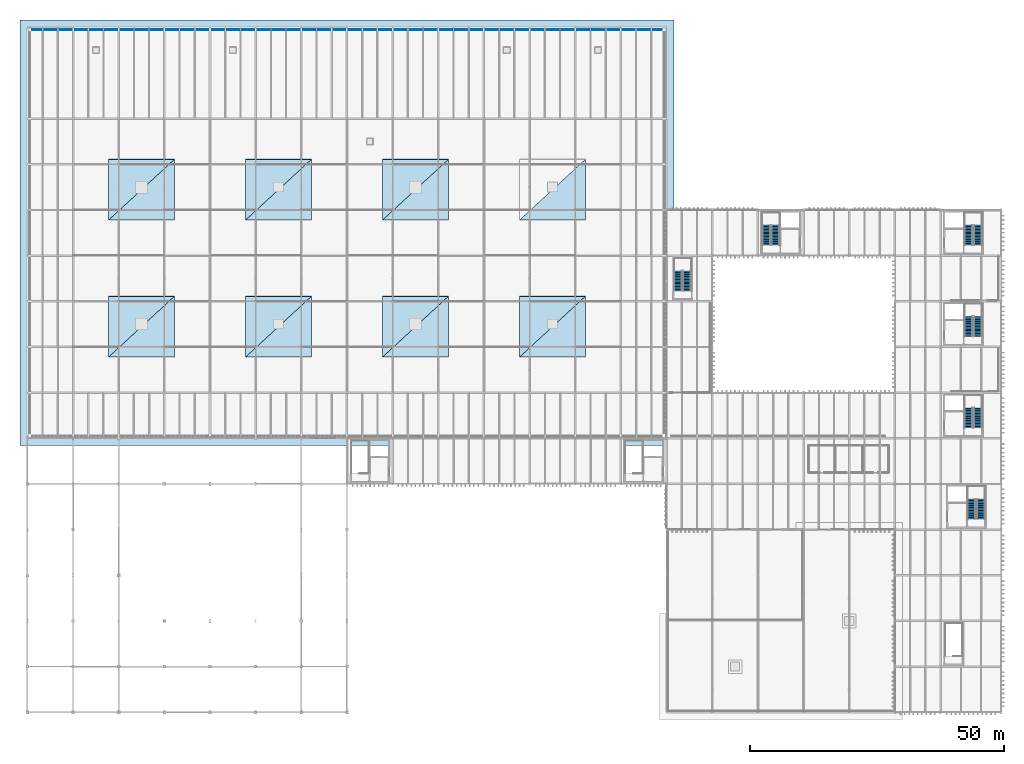
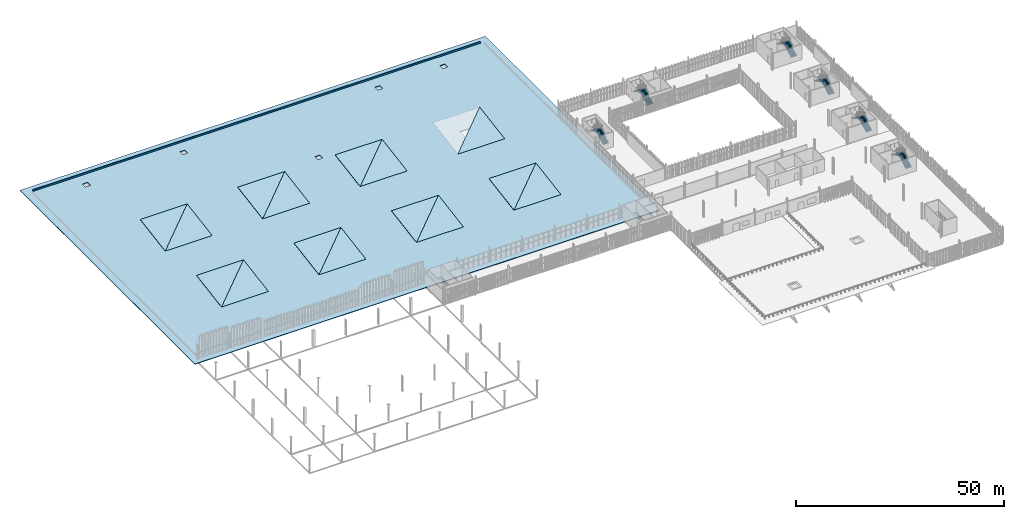
# One storey, part 183 of 196: 16 roofs, 12 stair flights, 1 wall, 6 elements without a shape of their own.
"""IFC4 building model written with IfcOpenShell, lengths in metres."""

from ifc_helpers import new_model, si_unit, direction, frame, frame_2d, origin, place, context, subcontext, project, spatial, polyline, rectangle, outline, extrude, material, layer, layer_set, type_object, element, aggregate, save


model = new_model("IFC4")

# Units and contexts
model_context = context("Model", 3, precision=1e-05, world=origin(), true_north=direction((0.0, 1.0)))
body_context = subcontext(model_context, "Body", "Model", "MODEL_VIEW")
ifc_project = project(units=[si_unit("LENGTHUNIT", "METRE"), si_unit("AREAUNIT", "SQUARE_METRE"), si_unit("VOLUMEUNIT", "CUBIC_METRE"), si_unit("PLANEANGLEUNIT", "RADIAN"), si_unit("MASSUNIT", "GRAM", prefix="KILO")], contexts=[model_context])

# Site, building, storey
site_placement = place(None, origin())
site = spatial("IfcSite", under=ifc_project, at=site_placement, CompositionType="ELEMENT")
building_placement = place(site_placement, origin())
building = spatial("IfcBuilding", under=site, at=building_placement, Name="Barlavento Convention Centre", CompositionType="ELEMENT")
storey_placement = place(building_placement, frame((0.0, 0.0, 18.0)))
storey = spatial("IfcBuildingStorey", under=building, at=storey_placement, Name="L03", CompositionType="ELEMENT", Elevation=18.0)

# Wall
ifc_material_1 = material(Name="Precast concrete C40/50 roof curb", Category="concrete")
ifc_layer_1 = layer(ifc_material_1, 0.195068359375)
ifc_layer_set_1 = layer_set([ifc_layer_1], Name="ARC-WL-PAR-195")
wall_type = type_object("IfcWallType", Name="ARC-WL-PAR-195", PredefinedType="PARAPET", material=ifc_layer_set_1)
wall_placement = place(storey_placement, frame((125.0, 134.550048828125, 0.090087890625), z_axis=(0.0, 0.0, 1.0), x_axis=(-1.0, 0.0, 0.0)))
element("IfcWall", 1, at=wall_placement, inside=storey, type_object=wall_type, Name="L03 exterior wall PW02", PredefinedType="PARAPET", context=body_context, shape_type="SweptSolid", body=[
    extrude(rectangle(XDim=124.0, YDim=0.195068359375, at=frame_2d((62.0, 0.0))), origin(), (0.0, 0.0, 1.0), 0.489990234375),
])

# Stair, stair flights
ifc_material_2 = material(Name="Concrete C40/50", Category="concrete")
stair_type_1 = type_object("IfcStairType", Name="ARC-STR-DOG-1600", PredefinedType="HALF_TURN_STAIR", material=ifc_material_2)
stair_1_placement = place(storey_placement, origin())
stair_1 = element("IfcStair", 2, at=stair_1_placement, inside=storey, type_object=stair_type_1, Name="L03 ST12", PredefinedType="HALF_TURN_STAIR")
stair_flight_type_1 = type_object("IfcStairFlightType", Name="ARC-FLT-STR-1600", PredefinedType="STRAIGHT", material=ifc_material_2)
stair_flight_1_placement = place(storey_placement, frame((130.050048828125, 83.070068359375, 0.0), z_axis=(0.0, 0.0, 1.0), x_axis=(0.0, 1.0, 0.0)))
stair_flight_1 = element("IfcStairFlight", 3, at=stair_flight_1_placement, type_object=stair_flight_type_1, Name="ST12 flight 1", NumberOfRisers=15, NumberOfTreads=14, PredefinedType="STRAIGHT", RiserHeight=0.16, TreadLength=0.28, context=body_context, shape_type="SweptSolid", body=[
    extrude(outline(polyline([(0.0, 0.0), (0.0, 0.159912109375), (0.280029296875, 0.159912109375), (0.280029296875, 0.320068359375), (0.56005859375, 0.320068359375), (0.56005859375, 0.47998046875), (0.840087890625, 0.47998046875), (0.840087890625, 0.639892578125), (1.1201171875, 0.639892578125), (1.1201171875, 0.800048828125), (1.39990234375, 0.800048828125), (1.39990234375, 0.9599609375), (1.679931640625, 0.9599609375), (1.679931640625, 1.1201171875), (1.9599609375, 1.1201171875), (1.9599609375, 1.280029296875), (2.239990234375, 1.280029296875), (2.239990234375, 1.43994140625), (2.52001953125, 1.43994140625), (2.52001953125, 1.60009765625), (2.800048828125, 1.60009765625), (2.800048828125, 1.760009765625), (3.080078125, 1.760009765625), (3.080078125, 1.919921875), (3.360107421875, 1.919921875), (3.360107421875, 2.080078125), (3.639892578125, 2.080078125), (3.639892578125, 2.239990234375), (3.919921875, 2.239990234375), (3.919921875, 2.39990234375), (3.919921875, 2.0673828125), (0.30224609375, 0.0), (0.0, 0.0)])), frame((0.0, 0.800048828125, 0.0), z_axis=(0.0, -1.0, 0.0), x_axis=(1.0, 0.0, 0.0)), (0.0, 0.0, 1.0), 1.60009765625),
])
stair_flight_2_placement = place(storey_placement, frame((128.25, 86.989990234375, 2.39990234375), z_axis=(0.0, 0.0, 1.0), x_axis=(0.0, -1.0, 0.0)))
stair_flight_2 = element("IfcStairFlight", 4, at=stair_flight_2_placement, type_object=stair_flight_type_1, Name="ST12 flight 2", NumberOfRisers=15, NumberOfTreads=14, PredefinedType="STRAIGHT", RiserHeight=0.16, TreadLength=0.28, context=body_context, shape_type="SweptSolid", body=[
    extrude(outline(polyline([(0.0, 0.0), (0.0, 0.159912109375), (0.280029296875, 0.159912109375), (0.280029296875, 0.320068359375), (0.56005859375, 0.320068359375), (0.56005859375, 0.47998046875), (0.840087890625, 0.47998046875), (0.840087890625, 0.639892578125), (1.1201171875, 0.639892578125), (1.1201171875, 0.800048828125), (1.39990234375, 0.800048828125), (1.39990234375, 0.9599609375), (1.679931640625, 0.9599609375), (1.679931640625, 1.1201171875), (1.9599609375, 1.1201171875), (1.9599609375, 1.280029296875), (2.239990234375, 1.280029296875), (2.239990234375, 1.43994140625), (2.52001953125, 1.43994140625), (2.52001953125, 1.60009765625), (2.800048828125, 1.60009765625), (2.800048828125, 1.760009765625), (3.080078125, 1.760009765625), (3.080078125, 1.919921875), (3.360107421875, 1.919921875), (3.360107421875, 2.080078125), (3.639892578125, 2.080078125), (3.639892578125, 2.239990234375), (3.919921875, 2.239990234375), (3.919921875, 2.39990234375), (3.919921875, 2.0673828125), (0.30224609375, 0.0), (0.0, 0.0)])), frame((0.0, 0.800048828125, 0.0), z_axis=(0.0, -1.0, 0.0), x_axis=(1.0, 0.0, 0.0)), (0.0, 0.0, 1.0), 1.60009765625),
])
aggregate(stair_1, [stair_flight_1, stair_flight_2])

stair_type_2 = type_object("IfcStairType", Name="ARC-STR-DOG-1620", PredefinedType="HALF_TURN_STAIR", material=ifc_material_2)
stair_2_placement = place(storey_placement, origin())
stair_2 = element("IfcStair", 5, at=stair_2_placement, inside=storey, type_object=stair_type_2, Name="L03 ST05", PredefinedType="HALF_TURN_STAIR")
stair_flight_type_2 = type_object("IfcStairFlightType", Name="ARC-FLT-STR-1620", PredefinedType="STRAIGHT", material=ifc_material_2)
stair_flight_3_placement = place(storey_placement, frame((187.340087890625, 56.090087890625, 0.0), z_axis=(0.0, 0.0, 1.0), x_axis=(0.0, 1.0, 0.0)))
stair_flight_3 = element("IfcStairFlight", 6, at=stair_flight_3_placement, type_object=stair_flight_type_2, Name="ST05 flight 1", NumberOfRisers=15, NumberOfTreads=14, PredefinedType="STRAIGHT", RiserHeight=0.16, TreadLength=0.28, context=body_context, shape_type="SweptSolid", body=[
    extrude(outline(polyline([(0.0, 0.0), (0.0, 0.159912109375), (0.280029296875, 0.159912109375), (0.280029296875, 0.320068359375), (0.56005859375, 0.320068359375), (0.56005859375, 0.47998046875), (0.840087890625, 0.47998046875), (0.840087890625, 0.639892578125), (1.1201171875, 0.639892578125), (1.1201171875, 0.800048828125), (1.39990234375, 0.800048828125), (1.39990234375, 0.9599609375), (1.679931640625, 0.9599609375), (1.679931640625, 1.1201171875), (1.9599609375, 1.1201171875), (1.9599609375, 1.280029296875), (2.239990234375, 1.280029296875), (2.239990234375, 1.43994140625), (2.52001953125, 1.43994140625), (2.52001953125, 1.60009765625), (2.800048828125, 1.60009765625), (2.800048828125, 1.760009765625), (3.080078125, 1.760009765625), (3.080078125, 1.919921875), (3.360107421875, 1.919921875), (3.360107421875, 2.080078125), (3.639892578125, 2.080078125), (3.639892578125, 2.239990234375), (3.919921875, 2.239990234375), (3.919921875, 2.39990234375), (3.919921875, 2.0673828125), (0.30224609375, 0.0), (0.0, 0.0)])), frame((0.0, 0.81005859375, 0.0), z_axis=(0.0, -1.0, 0.0), x_axis=(1.0, 0.0, 0.0)), (0.0, 0.0, 1.0), 1.6201171875),
])
stair_flight_4_placement = place(storey_placement, frame((185.52001953125, 60.010009765625, 2.39990234375), z_axis=(0.0, 0.0, 1.0), x_axis=(0.0, -1.0, 0.0)))
stair_flight_4 = element("IfcStairFlight", 7, at=stair_flight_4_placement, type_object=stair_flight_type_2, Name="ST05 flight 2", NumberOfRisers=15, NumberOfTreads=14, PredefinedType="STRAIGHT", RiserHeight=0.16, TreadLength=0.28, context=body_context, shape_type="SweptSolid", body=[
    extrude(outline(polyline([(0.0, 0.0), (0.0, 0.159912109375), (0.280029296875, 0.159912109375), (0.280029296875, 0.320068359375), (0.56005859375, 0.320068359375), (0.56005859375, 0.47998046875), (0.840087890625, 0.47998046875), (0.840087890625, 0.639892578125), (1.1201171875, 0.639892578125), (1.1201171875, 0.800048828125), (1.39990234375, 0.800048828125), (1.39990234375, 0.9599609375), (1.679931640625, 0.9599609375), (1.679931640625, 1.1201171875), (1.9599609375, 1.1201171875), (1.9599609375, 1.280029296875), (2.239990234375, 1.280029296875), (2.239990234375, 1.43994140625), (2.52001953125, 1.43994140625), (2.52001953125, 1.60009765625), (2.800048828125, 1.60009765625), (2.800048828125, 1.760009765625), (3.080078125, 1.760009765625), (3.080078125, 1.919921875), (3.360107421875, 1.919921875), (3.360107421875, 2.080078125), (3.639892578125, 2.080078125), (3.639892578125, 2.239990234375), (3.919921875, 2.239990234375), (3.919921875, 2.39990234375), (3.919921875, 2.0673828125), (0.30224609375, 0.0), (0.0, 0.0)])), frame((0.0, 0.81005859375, 0.0), z_axis=(0.0, -1.0, 0.0), x_axis=(1.0, 0.0, 0.0)), (0.0, 0.0, 1.0), 1.6201171875),
])
aggregate(stair_2, [stair_flight_3, stair_flight_4])

stair_3_placement = place(storey_placement, origin())
stair_3 = element("IfcStair", 8, at=stair_3_placement, inside=storey, type_object=stair_type_2, Name="L03 ST06", PredefinedType="HALF_TURN_STAIR")
stair_flight_5_placement = place(storey_placement, frame((187.93994140625, 38.090087890625, 0.0), z_axis=(0.0, 0.0, 1.0), x_axis=(0.0, 1.0, 0.0)))
stair_flight_5 = element("IfcStairFlight", 9, at=stair_flight_5_placement, type_object=stair_flight_type_2, Name="ST06 flight 1", NumberOfRisers=15, NumberOfTreads=14, PredefinedType="STRAIGHT", RiserHeight=0.16, TreadLength=0.28, context=body_context, shape_type="SweptSolid", body=[
    extrude(outline(polyline([(0.0, 0.0), (0.0, 0.159912109375), (0.280029296875, 0.159912109375), (0.280029296875, 0.320068359375), (0.56005859375, 0.320068359375), (0.56005859375, 0.47998046875), (0.840087890625, 0.47998046875), (0.840087890625, 0.639892578125), (1.1201171875, 0.639892578125), (1.1201171875, 0.800048828125), (1.39990234375, 0.800048828125), (1.39990234375, 0.9599609375), (1.679931640625, 0.9599609375), (1.679931640625, 1.1201171875), (1.9599609375, 1.1201171875), (1.9599609375, 1.280029296875), (2.239990234375, 1.280029296875), (2.239990234375, 1.43994140625), (2.52001953125, 1.43994140625), (2.52001953125, 1.60009765625), (2.800048828125, 1.60009765625), (2.800048828125, 1.760009765625), (3.080078125, 1.760009765625), (3.080078125, 1.919921875), (3.360107421875, 1.919921875), (3.360107421875, 2.080078125), (3.639892578125, 2.080078125), (3.639892578125, 2.239990234375), (3.919921875, 2.239990234375), (3.919921875, 2.39990234375), (3.919921875, 2.0673828125), (0.30224609375, 0.0), (0.0, 0.0)])), frame((0.0, 0.81005859375, 0.0), z_axis=(0.0, -1.0, 0.0), x_axis=(1.0, 0.0, 0.0)), (0.0, 0.0, 1.0), 1.6201171875),
])
stair_flight_6_placement = place(storey_placement, frame((186.1201171875, 42.010009765625, 2.39990234375), z_axis=(0.0, 0.0, 1.0), x_axis=(0.0, -1.0, 0.0)))
stair_flight_6 = element("IfcStairFlight", 10, at=stair_flight_6_placement, type_object=stair_flight_type_2, Name="ST06 flight 2", NumberOfRisers=15, NumberOfTreads=14, PredefinedType="STRAIGHT", RiserHeight=0.16, TreadLength=0.28, context=body_context, shape_type="SweptSolid", body=[
    extrude(outline(polyline([(0.0, 0.0), (0.0, 0.159912109375), (0.280029296875, 0.159912109375), (0.280029296875, 0.320068359375), (0.56005859375, 0.320068359375), (0.56005859375, 0.47998046875), (0.840087890625, 0.47998046875), (0.840087890625, 0.639892578125), (1.1201171875, 0.639892578125), (1.1201171875, 0.800048828125), (1.39990234375, 0.800048828125), (1.39990234375, 0.9599609375), (1.679931640625, 0.9599609375), (1.679931640625, 1.1201171875), (1.9599609375, 1.1201171875), (1.9599609375, 1.280029296875), (2.239990234375, 1.280029296875), (2.239990234375, 1.43994140625), (2.52001953125, 1.43994140625), (2.52001953125, 1.60009765625), (2.800048828125, 1.60009765625), (2.800048828125, 1.760009765625), (3.080078125, 1.760009765625), (3.080078125, 1.919921875), (3.360107421875, 1.919921875), (3.360107421875, 2.080078125), (3.639892578125, 2.080078125), (3.639892578125, 2.239990234375), (3.919921875, 2.239990234375), (3.919921875, 2.39990234375), (3.919921875, 2.0673828125), (0.30224609375, 0.0), (0.0, 0.0)])), frame((0.0, 0.81005859375, 0.0), z_axis=(0.0, -1.0, 0.0), x_axis=(1.0, 0.0, 0.0)), (0.0, 0.0, 1.0), 1.6201171875),
])
aggregate(stair_3, [stair_flight_5, stair_flight_6])

stair_4_placement = place(storey_placement, origin())
stair_4 = element("IfcStair", 11, at=stair_4_placement, inside=storey, type_object=stair_type_2, Name="L03 ST07", PredefinedType="HALF_TURN_STAIR")
stair_flight_7_placement = place(storey_placement, frame((187.340087890625, 74.090087890625, 0.0), z_axis=(0.0, 0.0, 1.0), x_axis=(0.0, 1.0, 0.0)))
stair_flight_7 = element("IfcStairFlight", 12, at=stair_flight_7_placement, type_object=stair_flight_type_2, Name="ST07 flight 1", NumberOfRisers=15, NumberOfTreads=14, PredefinedType="STRAIGHT", RiserHeight=0.16, TreadLength=0.28, context=body_context, shape_type="SweptSolid", body=[
    extrude(outline(polyline([(0.0, 0.0), (0.0, 0.159912109375), (0.280029296875, 0.159912109375), (0.280029296875, 0.320068359375), (0.56005859375, 0.320068359375), (0.56005859375, 0.47998046875), (0.840087890625, 0.47998046875), (0.840087890625, 0.639892578125), (1.1201171875, 0.639892578125), (1.1201171875, 0.800048828125), (1.39990234375, 0.800048828125), (1.39990234375, 0.9599609375), (1.679931640625, 0.9599609375), (1.679931640625, 1.1201171875), (1.9599609375, 1.1201171875), (1.9599609375, 1.280029296875), (2.239990234375, 1.280029296875), (2.239990234375, 1.43994140625), (2.52001953125, 1.43994140625), (2.52001953125, 1.60009765625), (2.800048828125, 1.60009765625), (2.800048828125, 1.760009765625), (3.080078125, 1.760009765625), (3.080078125, 1.919921875), (3.360107421875, 1.919921875), (3.360107421875, 2.080078125), (3.639892578125, 2.080078125), (3.639892578125, 2.239990234375), (3.919921875, 2.239990234375), (3.919921875, 2.39990234375), (3.919921875, 2.0673828125), (0.30224609375, 0.0), (0.0, 0.0)])), frame((0.0, 0.81005859375, 0.0), z_axis=(0.0, -1.0, 0.0), x_axis=(1.0, 0.0, 0.0)), (0.0, 0.0, 1.0), 1.6201171875),
])
stair_flight_8_placement = place(storey_placement, frame((185.52001953125, 78.010009765625, 2.39990234375), z_axis=(0.0, 0.0, 1.0), x_axis=(0.0, -1.0, 0.0)))
stair_flight_8 = element("IfcStairFlight", 13, at=stair_flight_8_placement, type_object=stair_flight_type_2, Name="ST07 flight 2", NumberOfRisers=15, NumberOfTreads=14, PredefinedType="STRAIGHT", RiserHeight=0.16, TreadLength=0.28, context=body_context, shape_type="SweptSolid", body=[
    extrude(outline(polyline([(0.0, 0.0), (0.0, 0.159912109375), (0.280029296875, 0.159912109375), (0.280029296875, 0.320068359375), (0.56005859375, 0.320068359375), (0.56005859375, 0.47998046875), (0.840087890625, 0.47998046875), (0.840087890625, 0.639892578125), (1.1201171875, 0.639892578125), (1.1201171875, 0.800048828125), (1.39990234375, 0.800048828125), (1.39990234375, 0.9599609375), (1.679931640625, 0.9599609375), (1.679931640625, 1.1201171875), (1.9599609375, 1.1201171875), (1.9599609375, 1.280029296875), (2.239990234375, 1.280029296875), (2.239990234375, 1.43994140625), (2.52001953125, 1.43994140625), (2.52001953125, 1.60009765625), (2.800048828125, 1.60009765625), (2.800048828125, 1.760009765625), (3.080078125, 1.760009765625), (3.080078125, 1.919921875), (3.360107421875, 1.919921875), (3.360107421875, 2.080078125), (3.639892578125, 2.080078125), (3.639892578125, 2.239990234375), (3.919921875, 2.239990234375), (3.919921875, 2.39990234375), (3.919921875, 2.0673828125), (0.30224609375, 0.0), (0.0, 0.0)])), frame((0.0, 0.81005859375, 0.0), z_axis=(0.0, -1.0, 0.0), x_axis=(1.0, 0.0, 0.0)), (0.0, 0.0, 1.0), 1.6201171875),
])
aggregate(stair_4, [stair_flight_7, stair_flight_8])

stair_5_placement = place(storey_placement, origin())
stair_5 = element("IfcStair", 14, at=stair_5_placement, inside=storey, type_object=stair_type_2, Name="L03 ST08", PredefinedType="HALF_TURN_STAIR")
stair_flight_9_placement = place(storey_placement, frame((187.340087890625, 92.090087890625, 0.0), z_axis=(0.0, 0.0, 1.0), x_axis=(0.0, 1.0, 0.0)))
stair_flight_9 = element("IfcStairFlight", 15, at=stair_flight_9_placement, type_object=stair_flight_type_2, Name="ST08 flight 1", NumberOfRisers=15, NumberOfTreads=14, PredefinedType="STRAIGHT", RiserHeight=0.16, TreadLength=0.28, context=body_context, shape_type="SweptSolid", body=[
    extrude(outline(polyline([(0.0, 0.0), (0.0, 0.159912109375), (0.280029296875, 0.159912109375), (0.280029296875, 0.320068359375), (0.56005859375, 0.320068359375), (0.56005859375, 0.47998046875), (0.840087890625, 0.47998046875), (0.840087890625, 0.639892578125), (1.1201171875, 0.639892578125), (1.1201171875, 0.800048828125), (1.39990234375, 0.800048828125), (1.39990234375, 0.9599609375), (1.679931640625, 0.9599609375), (1.679931640625, 1.1201171875), (1.9599609375, 1.1201171875), (1.9599609375, 1.280029296875), (2.239990234375, 1.280029296875), (2.239990234375, 1.43994140625), (2.52001953125, 1.43994140625), (2.52001953125, 1.60009765625), (2.800048828125, 1.60009765625), (2.800048828125, 1.760009765625), (3.080078125, 1.760009765625), (3.080078125, 1.919921875), (3.360107421875, 1.919921875), (3.360107421875, 2.080078125), (3.639892578125, 2.080078125), (3.639892578125, 2.239990234375), (3.919921875, 2.239990234375), (3.919921875, 2.39990234375), (3.919921875, 2.0673828125), (0.30224609375, 0.0), (0.0, 0.0)])), frame((0.0, 0.81005859375, 0.0), z_axis=(0.0, -1.0, 0.0), x_axis=(1.0, 0.0, 0.0)), (0.0, 0.0, 1.0), 1.6201171875),
])
stair_flight_10_placement = place(storey_placement, frame((185.52001953125, 96.010009765625, 2.39990234375), z_axis=(0.0, 0.0, 1.0), x_axis=(0.0, -1.0, 0.0)))
stair_flight_10 = element("IfcStairFlight", 16, at=stair_flight_10_placement, type_object=stair_flight_type_2, Name="ST08 flight 2", NumberOfRisers=15, NumberOfTreads=14, PredefinedType="STRAIGHT", RiserHeight=0.16, TreadLength=0.28, context=body_context, shape_type="SweptSolid", body=[
    extrude(outline(polyline([(0.0, 0.0), (0.0, 0.159912109375), (0.280029296875, 0.159912109375), (0.280029296875, 0.320068359375), (0.56005859375, 0.320068359375), (0.56005859375, 0.47998046875), (0.840087890625, 0.47998046875), (0.840087890625, 0.639892578125), (1.1201171875, 0.639892578125), (1.1201171875, 0.800048828125), (1.39990234375, 0.800048828125), (1.39990234375, 0.9599609375), (1.679931640625, 0.9599609375), (1.679931640625, 1.1201171875), (1.9599609375, 1.1201171875), (1.9599609375, 1.280029296875), (2.239990234375, 1.280029296875), (2.239990234375, 1.43994140625), (2.52001953125, 1.43994140625), (2.52001953125, 1.60009765625), (2.800048828125, 1.60009765625), (2.800048828125, 1.760009765625), (3.080078125, 1.760009765625), (3.080078125, 1.919921875), (3.360107421875, 1.919921875), (3.360107421875, 2.080078125), (3.639892578125, 2.080078125), (3.639892578125, 2.239990234375), (3.919921875, 2.239990234375), (3.919921875, 2.39990234375), (3.919921875, 2.0673828125), (0.30224609375, 0.0), (0.0, 0.0)])), frame((0.0, 0.81005859375, 0.0), z_axis=(0.0, -1.0, 0.0), x_axis=(1.0, 0.0, 0.0)), (0.0, 0.0, 1.0), 1.6201171875),
])
aggregate(stair_5, [stair_flight_9, stair_flight_10])

stair_6_placement = place(storey_placement, origin())
stair_6 = element("IfcStair", 17, at=stair_6_placement, inside=storey, type_object=stair_type_2, Name="L03 ST09", PredefinedType="HALF_TURN_STAIR")
stair_flight_11_placement = place(storey_placement, frame((147.47998046875, 92.090087890625, 0.0), z_axis=(0.0, 0.0, 1.0), x_axis=(0.0, 1.0, 0.0)))
stair_flight_11 = element("IfcStairFlight", 18, at=stair_flight_11_placement, type_object=stair_flight_type_2, Name="ST09 flight 1", NumberOfRisers=15, NumberOfTreads=14, PredefinedType="STRAIGHT", RiserHeight=0.16, TreadLength=0.28, context=body_context, shape_type="SweptSolid", body=[
    extrude(outline(polyline([(0.0, 0.0), (0.0, 0.159912109375), (0.280029296875, 0.159912109375), (0.280029296875, 0.320068359375), (0.56005859375, 0.320068359375), (0.56005859375, 0.47998046875), (0.840087890625, 0.47998046875), (0.840087890625, 0.639892578125), (1.1201171875, 0.639892578125), (1.1201171875, 0.800048828125), (1.39990234375, 0.800048828125), (1.39990234375, 0.9599609375), (1.679931640625, 0.9599609375), (1.679931640625, 1.1201171875), (1.9599609375, 1.1201171875), (1.9599609375, 1.280029296875), (2.239990234375, 1.280029296875), (2.239990234375, 1.43994140625), (2.52001953125, 1.43994140625), (2.52001953125, 1.60009765625), (2.800048828125, 1.60009765625), (2.800048828125, 1.760009765625), (3.080078125, 1.760009765625), (3.080078125, 1.919921875), (3.360107421875, 1.919921875), (3.360107421875, 2.080078125), (3.639892578125, 2.080078125), (3.639892578125, 2.239990234375), (3.919921875, 2.239990234375), (3.919921875, 2.39990234375), (3.919921875, 2.0673828125), (0.30224609375, 0.0), (0.0, 0.0)])), frame((0.0, 0.81005859375, 0.0), z_axis=(0.0, -1.0, 0.0), x_axis=(1.0, 0.0, 0.0)), (0.0, 0.0, 1.0), 1.6201171875),
])
stair_flight_12_placement = place(storey_placement, frame((145.659912109375, 96.010009765625, 2.39990234375), z_axis=(0.0, 0.0, 1.0), x_axis=(0.0, -1.0, 0.0)))
stair_flight_12 = element("IfcStairFlight", 19, at=stair_flight_12_placement, type_object=stair_flight_type_2, Name="ST09 flight 2", NumberOfRisers=15, NumberOfTreads=14, PredefinedType="STRAIGHT", RiserHeight=0.16, TreadLength=0.28, context=body_context, shape_type="SweptSolid", body=[
    extrude(outline(polyline([(0.0, 0.0), (0.0, 0.159912109375), (0.280029296875, 0.159912109375), (0.280029296875, 0.320068359375), (0.56005859375, 0.320068359375), (0.56005859375, 0.47998046875), (0.840087890625, 0.47998046875), (0.840087890625, 0.639892578125), (1.1201171875, 0.639892578125), (1.1201171875, 0.800048828125), (1.39990234375, 0.800048828125), (1.39990234375, 0.9599609375), (1.679931640625, 0.9599609375), (1.679931640625, 1.1201171875), (1.9599609375, 1.1201171875), (1.9599609375, 1.280029296875), (2.239990234375, 1.280029296875), (2.239990234375, 1.43994140625), (2.52001953125, 1.43994140625), (2.52001953125, 1.60009765625), (2.800048828125, 1.60009765625), (2.800048828125, 1.760009765625), (3.080078125, 1.760009765625), (3.080078125, 1.919921875), (3.360107421875, 1.919921875), (3.360107421875, 2.080078125), (3.639892578125, 2.080078125), (3.639892578125, 2.239990234375), (3.919921875, 2.239990234375), (3.919921875, 2.39990234375), (3.919921875, 2.0673828125), (0.30224609375, 0.0), (0.0, 0.0)])), frame((0.0, 0.81005859375, 0.0), z_axis=(0.0, -1.0, 0.0), x_axis=(1.0, 0.0, 0.0)), (0.0, 0.0, 1.0), 1.6201171875),
])
aggregate(stair_6, [stair_flight_11, stair_flight_12])

# Roofs
ifc_material_3 = material(Name="PVDF standing-seam aluminium roof deck", Category="aluminium")
ifc_layer_2 = layer(ifc_material_3, 0.050048828125)
ifc_layer_set_2 = layer_set([ifc_layer_2], Name="ARC-ROOF-CONG-FREE")
roof_type_1 = type_object("IfcRoofType", Name="ARC-ROOF-CONG-FREE", PredefinedType="FREEFORM", material=ifc_layer_set_2)
roof_1_placement = place(storey_placement, frame((16.0, 70.0, 0.159912109375), z_axis=(0.0, -0.163598265215, 0.986527043531), x_axis=(1.0, 0.0, 0.0)))
element("IfcRoof", 20, at=roof_1_placement, inside=storey, type_object=roof_type_1, Name="Exhibition north-light monitor roof", PredefinedType="FREEFORM", context=body_context, shape_type="SweptSolid", body=[
    extrude(outline(polyline([(0.0, 0.0), (13.0, 0.0), (13.0, 12.163883472514355), (0.0, 0.0)])), origin(), (0.0, 0.0, -1.0), 0.080078125),
])
roof_2_placement = place(storey_placement, frame((16.0, 70.0, 0.159912109375), z_axis=(0.0, -0.163598265215, 0.986527043531), x_axis=(0.730198743554, 0.674029609434, 0.111776028371)))
element("IfcRoof", 21, at=roof_2_placement, inside=storey, type_object=roof_type_1, Name="Exhibition north-light monitor roof", PredefinedType="FREEFORM", context=body_context, shape_type="SweptSolid", body=[
    extrude(outline(polyline([(0.0, 0.0), (17.80337218430564, 2.1094237467877974e-15), (8.310788518106719, 8.88205242836437), (0.0, 0.0)])), origin(), (0.0, 0.0, -1.0), 0.080078125),
])
roof_3_placement = place(storey_placement, frame((16.0, 97.0, 0.159912109375), z_axis=(0.0, -0.163598265215, 0.986527043531), x_axis=(1.0, 0.0, 0.0)))
element("IfcRoof", 22, at=roof_3_placement, inside=storey, type_object=roof_type_1, Name="Exhibition north-light monitor roof", PredefinedType="FREEFORM", context=body_context, shape_type="SweptSolid", body=[
    extrude(outline(polyline([(0.0, 0.0), (13.0, 0.0), (13.0, 12.163883472514355), (0.0, 0.0)])), origin(), (0.0, 0.0, -1.0), 0.080078125),
])
roof_4_placement = place(storey_placement, frame((16.0, 97.0, 0.159912109375), z_axis=(0.0, -0.163598265215, 0.986527043531), x_axis=(0.730198743554, 0.674029609434, 0.111776028371)))
element("IfcRoof", 23, at=roof_4_placement, inside=storey, type_object=roof_type_1, Name="Exhibition north-light monitor roof", PredefinedType="FREEFORM", context=body_context, shape_type="SweptSolid", body=[
    extrude(outline(polyline([(0.0, 0.0), (17.80337218430564, 2.1094237467877974e-15), (8.310788518106719, 8.88205242836437), (0.0, 0.0)])), origin(), (0.0, 0.0, -1.0), 0.080078125),
])
roof_5_placement = place(storey_placement, frame((43.0, 70.0, 0.159912109375), z_axis=(0.0, -0.163598265215, 0.986527043531), x_axis=(1.0, 0.0, 0.0)))
element("IfcRoof", 24, at=roof_5_placement, inside=storey, type_object=roof_type_1, Name="Exhibition north-light monitor roof", PredefinedType="FREEFORM", context=body_context, shape_type="SweptSolid", body=[
    extrude(outline(polyline([(0.0, 0.0), (13.0, 0.0), (13.0, 12.163883472514355), (0.0, 0.0)])), origin(), (0.0, 0.0, -1.0), 0.080078125),
])
roof_6_placement = place(storey_placement, frame((43.0, 70.0, 0.159912109375), z_axis=(0.0, -0.163598265215, 0.986527043531), x_axis=(0.730198743554, 0.674029609434, 0.111776028371)))
element("IfcRoof", 25, at=roof_6_placement, inside=storey, type_object=roof_type_1, Name="Exhibition north-light monitor roof", PredefinedType="FREEFORM", context=body_context, shape_type="SweptSolid", body=[
    extrude(outline(polyline([(0.0, 0.0), (17.80337218430564, 2.1094237467877974e-15), (8.310788518106719, 8.88205242836437), (0.0, 0.0)])), origin(), (0.0, 0.0, -1.0), 0.080078125),
])
roof_7_placement = place(storey_placement, frame((43.0, 97.0, 0.159912109375), z_axis=(0.0, -0.163598265215, 0.986527043531), x_axis=(1.0, 0.0, 0.0)))
element("IfcRoof", 26, at=roof_7_placement, inside=storey, type_object=roof_type_1, Name="Exhibition north-light monitor roof", PredefinedType="FREEFORM", context=body_context, shape_type="SweptSolid", body=[
    extrude(outline(polyline([(0.0, 0.0), (13.0, 0.0), (13.0, 12.163883472514355), (0.0, 0.0)])), origin(), (0.0, 0.0, -1.0), 0.080078125),
])
roof_8_placement = place(storey_placement, frame((43.0, 97.0, 0.159912109375), z_axis=(0.0, -0.163598265215, 0.986527043531), x_axis=(0.730198743554, 0.674029609434, 0.111776028371)))
element("IfcRoof", 27, at=roof_8_placement, inside=storey, type_object=roof_type_1, Name="Exhibition north-light monitor roof", PredefinedType="FREEFORM", context=body_context, shape_type="SweptSolid", body=[
    extrude(outline(polyline([(0.0, 0.0), (17.80337218430564, 2.1094237467877974e-15), (8.310788518106719, 8.88205242836437), (0.0, 0.0)])), origin(), (0.0, 0.0, -1.0), 0.080078125),
])
roof_9_placement = place(storey_placement, frame((70.0, 70.0, 0.159912109375), z_axis=(0.0, -0.163598265215, 0.986527043531), x_axis=(1.0, 0.0, 0.0)))
element("IfcRoof", 28, at=roof_9_placement, inside=storey, type_object=roof_type_1, Name="Exhibition north-light monitor roof", PredefinedType="FREEFORM", context=body_context, shape_type="SweptSolid", body=[
    extrude(outline(polyline([(0.0, 0.0), (13.0, 0.0), (13.0, 12.163883472514355), (0.0, 0.0)])), origin(), (0.0, 0.0, -1.0), 0.080078125),
])
roof_10_placement = place(storey_placement, frame((70.0, 70.0, 0.159912109375), z_axis=(0.0, -0.163598265215, 0.986527043531), x_axis=(0.730198743554, 0.674029609434, 0.111776028371)))
element("IfcRoof", 29, at=roof_10_placement, inside=storey, type_object=roof_type_1, Name="Exhibition north-light monitor roof", PredefinedType="FREEFORM", context=body_context, shape_type="SweptSolid", body=[
    extrude(outline(polyline([(0.0, 0.0), (17.80337218430564, 2.1094237467877974e-15), (8.310788518106719, 8.88205242836437), (0.0, 0.0)])), origin(), (0.0, 0.0, -1.0), 0.080078125),
])
roof_11_placement = place(storey_placement, frame((70.0, 97.0, 0.159912109375), z_axis=(0.0, -0.163598265215, 0.986527043531), x_axis=(1.0, 0.0, 0.0)))
element("IfcRoof", 30, at=roof_11_placement, inside=storey, type_object=roof_type_1, Name="Exhibition north-light monitor roof", PredefinedType="FREEFORM", context=body_context, shape_type="SweptSolid", body=[
    extrude(outline(polyline([(0.0, 0.0), (13.0, 0.0), (13.0, 12.163883472514355), (0.0, 0.0)])), origin(), (0.0, 0.0, -1.0), 0.080078125),
])
roof_12_placement = place(storey_placement, frame((70.0, 97.0, 0.159912109375), z_axis=(0.0, -0.163598265215, 0.986527043531), x_axis=(0.730198743554, 0.674029609434, 0.111776028371)))
element("IfcRoof", 31, at=roof_12_placement, inside=storey, type_object=roof_type_1, Name="Exhibition north-light monitor roof", PredefinedType="FREEFORM", context=body_context, shape_type="SweptSolid", body=[
    extrude(outline(polyline([(0.0, 0.0), (17.80337218430564, 2.1094237467877974e-15), (8.310788518106719, 8.88205242836437), (0.0, 0.0)])), origin(), (0.0, 0.0, -1.0), 0.080078125),
])
roof_13_placement = place(storey_placement, frame((97.0, 70.0, 0.159912109375), z_axis=(0.0, -0.163598265215, 0.986527043531), x_axis=(1.0, 0.0, 0.0)))
element("IfcRoof", 32, at=roof_13_placement, inside=storey, type_object=roof_type_1, Name="Exhibition north-light monitor roof", PredefinedType="FREEFORM", context=body_context, shape_type="SweptSolid", body=[
    extrude(outline(polyline([(0.0, 0.0), (13.0, 0.0), (13.0, 12.163883472514355), (0.0, 0.0)])), origin(), (0.0, 0.0, -1.0), 0.080078125),
])
roof_14_placement = place(storey_placement, frame((97.0, 70.0, 0.159912109375), z_axis=(0.0, -0.163598265215, 0.986527043531), x_axis=(0.730198743554, 0.674029609434, 0.111776028371)))
element("IfcRoof", 33, at=roof_14_placement, inside=storey, type_object=roof_type_1, Name="Exhibition north-light monitor roof", PredefinedType="FREEFORM", context=body_context, shape_type="SweptSolid", body=[
    extrude(outline(polyline([(0.0, 0.0), (17.80337218430564, 2.1094237467877974e-15), (8.310788518106719, 8.88205242836437), (0.0, 0.0)])), origin(), (0.0, 0.0, -1.0), 0.080078125),
])
roof_15_placement = place(storey_placement, frame((97.0, 97.0, 0.159912109375), z_axis=(0.0, -0.163598265215, 0.986527043531), x_axis=(1.0, 0.0, 0.0)))
element("IfcRoof", 34, at=roof_15_placement, inside=storey, type_object=roof_type_1, Name="Exhibition north-light monitor roof", PredefinedType="FREEFORM", context=body_context, shape_type="SweptSolid", body=[
    extrude(outline(polyline([(0.0, 0.0), (13.0, 0.0), (13.0, 12.163883472514355), (0.0, 0.0)])), origin(), (0.0, 0.0, -1.0), 0.080078125),
])
ifc_material_4 = material(Name="Insulated waterproof flat roof deck", Category="concrete")
ifc_layer_3 = layer(ifc_material_4, 0.050048828125)
ifc_layer_set_3 = layer_set([ifc_layer_3], Name="ARC-ROOF-FLAT-WING")
roof_type_2 = type_object("IfcRoofType", Name="ARC-ROOF-FLAT-WING", PredefinedType="FLAT_ROOF", material=ifc_layer_set_3)
roof_16_placement = place(storey_placement, origin())
element("IfcRoof", 35, at=roof_16_placement, inside=storey, type_object=roof_type_2, Name="V2 horizontal roof deck RS-301", PredefinedType="FLAT_ROOF", context=body_context, shape_type="SweptSolid", body=[
    extrude(outline(polyline([(-1.449951171875, 52.550048828125), (-1.449951171875, 136.449951171875), (127.449951171875, 136.449951171875), (127.449951171875, 52.550048828125), (-1.449951171875, 52.550048828125)]), holes=[polyline([(21.14990234375, 75.14990234375), (23.85009765625, 75.14990234375), (23.85009765625, 77.85009765625), (21.14990234375, 77.85009765625), (21.14990234375, 75.14990234375)]), polyline([(48.14990234375, 75.14990234375), (50.85009765625, 75.14990234375), (50.85009765625, 77.85009765625), (48.14990234375, 77.85009765625), (48.14990234375, 75.14990234375)]), polyline([(75.14990234375, 75.14990234375), (77.85009765625, 75.14990234375), (77.85009765625, 77.85009765625), (75.14990234375, 77.85009765625), (75.14990234375, 75.14990234375)]), polyline([(102.14990234375, 75.14990234375), (104.85009765625, 75.14990234375), (104.85009765625, 77.85009765625), (102.14990234375, 77.85009765625), (102.14990234375, 75.14990234375)]), polyline([(21.14990234375, 102.14990234375), (23.85009765625, 102.14990234375), (23.85009765625, 104.85009765625), (21.14990234375, 104.85009765625), (21.14990234375, 102.14990234375)]), polyline([(48.14990234375, 102.14990234375), (50.85009765625, 102.14990234375), (50.85009765625, 104.85009765625), (48.14990234375, 104.85009765625), (48.14990234375, 102.14990234375)]), polyline([(75.14990234375, 102.14990234375), (77.85009765625, 102.14990234375), (77.85009765625, 104.85009765625), (75.14990234375, 104.85009765625), (75.14990234375, 102.14990234375)]), polyline([(102.14990234375, 102.14990234375), (104.85009765625, 102.14990234375), (104.85009765625, 104.85009765625), (102.14990234375, 104.85009765625), (102.14990234375, 102.14990234375)]), polyline([(12.800048828125, 129.800048828125), (14.199951171875, 129.800048828125), (14.199951171875, 131.199951171875), (12.800048828125, 131.199951171875), (12.800048828125, 129.800048828125)]), polyline([(39.800048828125, 129.800048828125), (41.199951171875, 129.800048828125), (41.199951171875, 131.199951171875), (39.800048828125, 131.199951171875), (39.800048828125, 129.800048828125)]), polyline([(66.800048828125, 111.800048828125), (68.199951171875, 111.800048828125), (68.199951171875, 113.199951171875), (66.800048828125, 113.199951171875), (66.800048828125, 111.800048828125)]), polyline([(93.800048828125, 129.800048828125), (95.199951171875, 129.800048828125), (95.199951171875, 131.199951171875), (93.800048828125, 131.199951171875), (93.800048828125, 129.800048828125)]), polyline([(111.800048828125, 129.800048828125), (113.199951171875, 129.800048828125), (113.199951171875, 131.199951171875), (111.800048828125, 131.199951171875), (111.800048828125, 129.800048828125)])]), origin(), (0.0, 0.0, 1.0), 0.159912109375),
])

save(model, "model.ifc")
